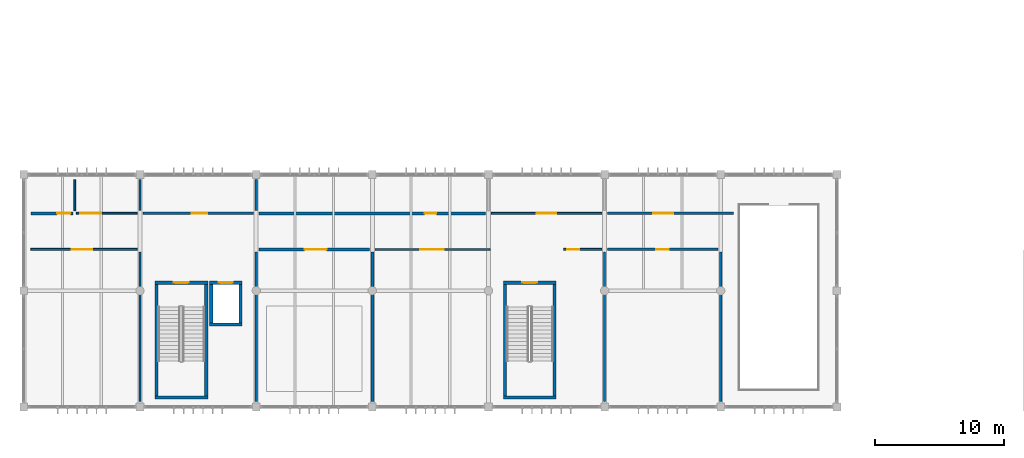
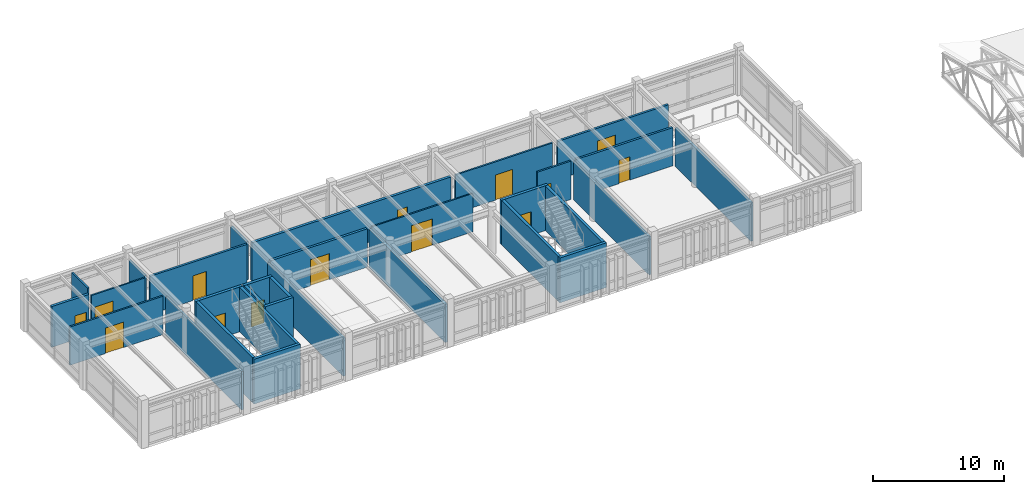
# One storey, part 41 of 55: 31 walls, 14 doors, 14 openings.
"""IFC4 building model written with IfcOpenShell, lengths in metres."""

import ifcopenshell
import ifcopenshell.guid

model = None  # the IFC model being written
_history = None  # IfcOwnerHistory: only IFC2X3 demands one
_inside = {}  # id of a spatial element -> (the spatial element, [elements in it])
_under = {}  # id of a project, library or spatial element -> (it, [spatial elements below it])
_declared = {}  # id of a project -> (the project, [libraries it declares])
_typed = {}  # id of a type object -> (the type object, [elements of that type])
_made_of = {}  # id of a material, layer set ... -> (it, [elements and type objects made of it])


def new_model(schema):
    """Start an empty IFC model of exactly this schema.

    Asked for "IFC4X3", IfcOpenShell would pick the latest addendum, in which some entities
    have other attributes; the version numbers below select the first issue.
    IFC2X3 requires an IfcOwnerHistory on every rooted entity: one is made here for all.
    """
    global model, _history
    if schema == "IFC4X3":
        model = ifcopenshell.file(schema_version=(4, 3, 0, 0))
    else:
        model = ifcopenshell.file(schema=schema)
    _inside.clear()
    _under.clear()
    _declared.clear()
    _typed.clear()
    _made_of.clear()
    _history = None
    if model.schema == "IFC2X3":
        org = make("IfcOrganization", Name="unknown")
        user = make(
            "IfcPersonAndOrganization",
            ThePerson=make("IfcPerson", FamilyName="unknown"),
            TheOrganization=org,
        )
        app = make(
            "IfcApplication",
            ApplicationDeveloper=org,
            Version="unknown",
            ApplicationFullName="unknown",
            ApplicationIdentifier="unknown",
        )
        _history = make(
            "IfcOwnerHistory",
            OwningUser=user,
            OwningApplication=app,
            ChangeAction="ADDED",
            CreationDate=0,
        )
    return model


def make(cls, **values):
    """One entity of the class cls with the attributes given. An attribute that is None is left unset."""
    return model.create_entity(
        cls, **{name: value for name, value in values.items() if value is not None}
    )


def rooted(cls, **values):
    """An entity with a GlobalId (a new one), such as an element, a storey or a relation."""
    return make(cls, GlobalId=ifcopenshell.guid.new(), OwnerHistory=_history, **values)


def si_unit(unit_type, name, prefix=None):
    """IfcSIUnit, for example si_unit("LENGTHUNIT", "METRE", prefix="MILLI")."""
    return make("IfcSIUnit", UnitType=unit_type, Prefix=prefix, Name=name)


def assignment(units):
    """IfcUnitAssignment: the units of a project."""
    return None if units is None else make("IfcUnitAssignment", Units=units)


def point(xyz):
    """IfcCartesianPoint."""
    return None if xyz is None else make("IfcCartesianPoint", Coordinates=xyz)


def direction(xyz):
    """IfcDirection."""
    return None if xyz is None else make("IfcDirection", DirectionRatios=xyz)


def frame(location, z_axis=None, x_axis=None):
    """IfcAxis2Placement3D, a coordinate frame: its origin and axes. An axis left out is left unset."""
    return make(
        "IfcAxis2Placement3D",
        Location=point(location),
        Axis=direction(z_axis),
        RefDirection=direction(x_axis),
    )


def frame_2d(location, x_axis=None):
    """IfcAxis2Placement2D, a coordinate frame in the plane: its origin and x axis."""
    return make(
        "IfcAxis2Placement2D", Location=point(location), RefDirection=direction(x_axis)
    )


def origin():
    """The frame at (0, 0, 0) with its axes left unset."""
    return frame((0.0, 0.0, 0.0))


def place(relative_to, where):
    """IfcLocalPlacement: puts the frame where relative to a parent placement (None: the world)."""
    return make(
        "IfcLocalPlacement", PlacementRelTo=relative_to, RelativePlacement=where
    )


def context(
    kind, dimensions, precision=None, world=None, true_north=None, identifier=None
):
    """IfcGeometricRepresentationContext, for example the 3D "Model" context."""
    return make(
        "IfcGeometricRepresentationContext",
        ContextIdentifier=identifier,
        ContextType=kind,
        CoordinateSpaceDimension=dimensions,
        Precision=precision,
        WorldCoordinateSystem=world,
        TrueNorth=true_north,
    )


def subcontext(parent, identifier, kind, view, scale=None):
    """IfcGeometricRepresentationSubContext, for example "Body" below "Model"."""
    return make(
        "IfcGeometricRepresentationSubContext",
        ContextIdentifier=identifier,
        ContextType=kind,
        ParentContext=parent,
        TargetScale=scale,
        TargetView=view,
    )


def project(units=None, contexts=None):
    """IfcProject with its units and contexts."""
    return rooted(
        "IfcProject",
        Name="project",
        RepresentationContexts=contexts,
        UnitsInContext=assignment(units),
    )


def spatial(cls, under=None, at=None, **own):
    """A site, building, storey or space (cls), placed at a placement, below another one or the project."""
    s = rooted(cls, ObjectPlacement=at, **own)
    if under is not None:
        _under.setdefault(under.id(), (under, []))[1].append(s)
    return s


def profile(cls, at=None, kind="AREA", **sizes):
    """A parametric profile (cls). Its sizes go by their IFC names, for example OverallWidth=200.0."""
    return make(cls, ProfileType=kind, Position=at, **sizes)


def rectangle(**sizes):
    """IfcRectangleProfileDef."""
    return profile("IfcRectangleProfileDef", **sizes)


def extrude(swept, where, along, depth):
    """IfcExtrudedAreaSolid: the profile swept, set in the frame where, extruded along a direction by depth."""
    return make(
        "IfcExtrudedAreaSolid",
        SweptArea=swept,
        Position=where,
        ExtrudedDirection=direction(along),
        Depth=depth,
    )


def shape(context_of_items, identifier, shape_type, items):
    """IfcShapeRepresentation: the items that make up one representation, for example the "Body"."""
    return make(
        "IfcShapeRepresentation",
        ContextOfItems=context_of_items,
        RepresentationIdentifier=identifier,
        RepresentationType=shape_type,
        Items=items,
    )


def material(Name=None, Category=None):
    """IfcMaterial."""
    return make("IfcMaterial", Name=Name, Category=Category)


def layer(
    of_material, thickness, ventilated=None, Name=None, Category=None, Priority=None
):
    """IfcMaterialLayer: one layer of a wall or slab, of a material (None: an air gap)."""
    return make(
        "IfcMaterialLayer",
        Material=of_material,
        LayerThickness=thickness,
        IsVentilated=ventilated,
        Name=Name,
        Category=Category,
        Priority=Priority,
    )


def layer_set(layers, Name=None):
    """IfcMaterialLayerSet."""
    return make("IfcMaterialLayerSet", MaterialLayers=layers, LayerSetName=Name)


def made_of(thing, what):
    """Note that an element or type object is made of a material, layer set ...; save() writes the relation."""
    if what is not None:
        _made_of.setdefault(what.id(), (what, []))[1].append(thing)
    return thing


def type_object(cls, material=None, **own):
    """A type object (cls), such as IfcWallType, which elements share."""
    return made_of(rooted(cls, **own), material)


def element(
    cls,
    number,
    at=None,
    inside=None,
    cuts=None,
    type_object=None,
    material=None,
    context=None,
    identifier="Body",
    shape_type=None,
    held_by="IfcProductDefinitionShape",
    body=None,
    shapes=None,
    **own,
):
    """One element of the class cls, such as IfcWall. Its Tag is "e" and its number.

    at: its placement. inside: the storey or other place that contains it. cuts: it is an
    opening in that element (IfcRelVoidsElement). A single representation is given by context,
    identifier, shape_type and body (its items); several are given by shapes. held_by: the class
    of the entity that holds the representations. save() writes the other relations.
    """
    e = rooted(cls, Tag="e%d" % number, ObjectPlacement=at, **own)
    if body is not None:
        shapes = [shape(context, identifier, shape_type, body)]
    if shapes is not None:
        e.Representation = make(held_by, Representations=shapes)
    if inside is not None:
        _inside.setdefault(inside.id(), (inside, []))[1].append(e)
    if cuts is not None:
        rooted(
            "IfcRelVoidsElement", RelatingBuildingElement=cuts, RelatedOpeningElement=e
        )
    if type_object is not None:
        _typed.setdefault(type_object.id(), (type_object, []))[1].append(e)
    return made_of(e, material)


def fill(opening, filler):
    """IfcRelFillsElement: the door or window that sits in an opening."""
    return rooted(
        "IfcRelFillsElement",
        RelatingOpeningElement=opening,
        RelatedBuildingElement=filler,
    )


def aggregate(whole, parts):
    """IfcRelAggregates: a whole, such as a stair, and the parts it consists of."""
    return rooted("IfcRelAggregates", RelatingObject=whole, RelatedObjects=parts)


def save(model, path):
    """Write the relations noted so far, then the file.

    IfcRelAggregates (storeys below a building ...), IfcRelContainedInSpatialStructure (elements
    in a storey), IfcRelDefinesByType, IfcRelAssociatesMaterial and IfcRelDeclares: one each for
    every whole, place, type object, material and project.
    """
    for whole, parts in _under.values():
        aggregate(whole, parts)
    for where, things in _inside.values():
        rooted(
            "IfcRelContainedInSpatialStructure",
            RelatedElements=things,
            RelatingStructure=where,
        )
    for kind, things in _typed.values():
        rooted("IfcRelDefinesByType", RelatedObjects=things, RelatingType=kind)
    for what, things in _made_of.values():
        rooted("IfcRelAssociatesMaterial", RelatedObjects=things, RelatingMaterial=what)
    for by, libraries in _declared.values():
        rooted("IfcRelDeclares", RelatingContext=by, RelatedDefinitions=libraries)
    model.write(path)


model = new_model("IFC4")

# Units and contexts
model_context = context("Model", 3, precision=1e-05, world=origin(), true_north=direction((0.0, 1.0)))
body_context = subcontext(model_context, "Body", "Model", "MODEL_VIEW")
ifc_project = project(units=[si_unit("LENGTHUNIT", "METRE"), si_unit("AREAUNIT", "SQUARE_METRE"), si_unit("VOLUMEUNIT", "CUBIC_METRE"), si_unit("PLANEANGLEUNIT", "RADIAN"), si_unit("MASSUNIT", "GRAM", prefix="KILO")], contexts=[model_context])

# Site, building, storey
site_placement = place(None, origin())
site = spatial("IfcSite", under=ifc_project, at=site_placement, CompositionType="ELEMENT")
building_placement = place(site_placement, origin())
building = spatial("IfcBuilding", under=site, at=building_placement, Name="Bozkorgan Art Gallery", CompositionType="ELEMENT")
storey_placement = place(building_placement, frame((0.0, 0.0, 15.0)))
storey = spatial("IfcBuildingStorey", under=building, at=storey_placement, Name="L03", CompositionType="ELEMENT", Elevation=15.0)

# Wall, opening, door
ifc_material_1 = material(Name="Concrete C40/50", Category="concrete")
ifc_layer_1 = layer(ifc_material_1, 0.25, Name="Concrete C40/50")
ifc_layer_set_1 = layer_set([ifc_layer_1], Name="Concrete C40/50")
wall_type_1 = type_object("IfcWallType", Name="IWALL-CW-51", PredefinedType="SHEAR", material=ifc_layer_set_1)
wall_1_placement = place(storey_placement, frame((12.14990234375, 11.625, 0.0), z_axis=(0.0, 0.0, 1.0), x_axis=(1.0, 0.0, 0.0)))
wall_1 = element("IfcWall", 1, at=wall_1_placement, inside=storey, type_object=wall_type_1, Name="CORE1 L03 stair core north shear wall", PredefinedType="SHEAR", context=body_context, shape_type="SweptSolid", body=[
    extrude(rectangle(XDim=4.10009765625, YDim=0.25, at=frame_2d((2.050048828125, 0.0))), origin(), (0.0, 0.0, 1.0), 4.179931640625),
])
opening_1_placement = place(wall_1_placement, frame((2.625, 0.0, 0.0), z_axis=(0.0, 0.0, 1.0), x_axis=(-1.0, 0.0, 0.0)))
opening_1 = element("IfcOpeningElement", 2, at=opening_1_placement, cuts=wall_1, Name="Opening SD-41", PredefinedType="OPENING", context=body_context, shape_type="SweptSolid", body=[
    extrude(rectangle(XDim=1.14990234375, YDim=2.199951171875, at=frame_2d((0.574951171875, 1.10009765625))), frame((0.0, 0.135009765625, 0.0), z_axis=(0.0, -1.0, 0.0), x_axis=(1.0, 0.0, 0.0)), (0.0, 0.0, 1.0), 0.27001953125),
])
ifc_material_2 = material(Name="Steel S355J2", Category="steel")
door_type_1 = type_object("IfcDoorType", Name="IDOOR-SD-41", OperationType="NOTDEFINED", PredefinedType="DOOR", material=ifc_material_2)
door_1_placement = place(opening_1_placement, origin())
door_1 = element("IfcDoor", 3, at=door_1_placement, inside=storey, type_object=door_type_1, Name="ST1 L03 Fire Stair Door", OperationType="SINGLE_SWING_RIGHT", OverallHeight=2.199951171875, OverallWidth=1.14990234375, PredefinedType="DOOR", context=body_context, shape_type="SweptSolid", body=[
    extrude(rectangle(XDim=1.14990234375, YDim=2.199951171875, at=frame_2d((0.574951171875, 1.10009765625))), frame((0.0, 0.02490234375, 0.0), z_axis=(0.0, -1.0, 0.0), x_axis=(1.0, 0.0, 0.0)), (0.0, 0.0, 1.0), 0.050048828125),
])
fill(opening_1, door_1)

# Walls
wall_2_placement = place(storey_placement, frame((12.14990234375, 2.72509765625, 0.0), z_axis=(0.0, 0.0, 1.0), x_axis=(1.0, 0.0, 0.0)))
element("IfcWall", 4, at=wall_2_placement, inside=storey, type_object=wall_type_1, Name="CORE1 L03 stair core S shear wall", PredefinedType="SHEAR", context=body_context, shape_type="SweptSolid", body=[
    extrude(rectangle(XDim=4.10009765625, YDim=0.25, at=frame_2d((2.050048828125, 0.0))), origin(), (0.0, 0.0, 1.0), 4.179931640625),
])
for number, where, z_axis, x_axis, name in (
    (5, (12.27490234375, 2.85009765625, 0.0), (0.0, 0.0, 1.0), (0.0, 1.0, 0.0), "CORE1 L03 stair core W shear wall"),
    (6, (16.125, 2.85009765625, 0.0), (0.0, 0.0, 1.0), (0.0, 1.0, 0.0), "CORE1 L03 stair core E shear wall"),
):
    element("IfcWall", number, at=place(storey_placement, frame(where, z_axis=z_axis, x_axis=x_axis)), inside=storey, type_object=wall_type_1, Name=name, PredefinedType="SHEAR", context=body_context, shape_type="SweptSolid", body=[
        extrude(rectangle(XDim=8.64990234375, YDim=0.25, at=frame_2d((4.324951171875, 0.0))), origin(), (0.0, 0.0, 1.0), 4.179931640625),
    ])

# Wall, opening, door
wall_3_placement = place(storey_placement, frame((16.39990234375, 11.625, 0.0), z_axis=(0.0, 0.0, 1.0), x_axis=(1.0, 0.0, 0.0)))
wall_3 = element("IfcWall", 7, at=wall_3_placement, inside=storey, type_object=wall_type_1, Name="PL1 L03 shaft front shear wall", PredefinedType="SHEAR", context=body_context, shape_type="SweptSolid", body=[
    extrude(rectangle(XDim=2.5, YDim=0.25, at=frame_2d((1.25, 0.0))), origin(), (0.0, 0.0, 1.0), 4.179931640625),
])
opening_2_placement = place(wall_3_placement, frame((0.699951171875, 0.0, 0.0)))
opening_2 = element("IfcOpeningElement", 8, at=opening_2_placement, cuts=wall_3, Name="Opening LD-25", PredefinedType="OPENING", context=body_context, shape_type="SweptSolid", body=[
    extrude(rectangle(XDim=1.10009765625, YDim=2.199951171875, at=frame_2d((0.550048828125, 1.10009765625))), frame((0.0, 0.135009765625, 0.0), z_axis=(0.0, -1.0, 0.0), x_axis=(1.0, 0.0, 0.0)), (0.0, 0.0, 1.0), 0.27001953125),
])
door_type_2 = type_object("IfcDoorType", Name="IDOOR-LD-25", OperationType="NOTDEFINED", PredefinedType="DOOR", material=ifc_material_2)
door_2_placement = place(opening_2_placement, origin())
door_2 = element("IfcDoor", 9, at=door_2_placement, inside=storey, type_object=door_type_2, Name="LD-PL1-L03 Lift Landing Door", OperationType="SLIDING_TO_LEFT", OverallHeight=2.199951171875, OverallWidth=1.10009765625, PredefinedType="DOOR", context=body_context, shape_type="SweptSolid", body=[
    extrude(rectangle(XDim=1.10009765625, YDim=2.199951171875, at=frame_2d((0.550048828125, 1.10009765625))), frame((0.0, 0.02490234375, 0.0), z_axis=(0.0, -1.0, 0.0), x_axis=(1.0, 0.0, 0.0)), (0.0, 0.0, 1.0), 0.050048828125),
])
fill(opening_2, door_2)

# Walls
wall_4_placement = place(storey_placement, frame((16.39990234375, 8.375, 0.0), z_axis=(0.0, 0.0, 1.0), x_axis=(1.0, 0.0, 0.0)))
element("IfcWall", 10, at=wall_4_placement, inside=storey, type_object=wall_type_1, Name="PL1 L03 shaft S shear wall", PredefinedType="SHEAR", context=body_context, shape_type="SweptSolid", body=[
    extrude(rectangle(XDim=2.5, YDim=0.25, at=frame_2d((1.25, 0.0))), origin(), (0.0, 0.0, 1.0), 4.179931640625),
])
for number, where, z_axis, x_axis, name in (
    (11, (18.77490234375, 8.5, 0.0), (0.0, 0.0, 1.0), (0.0, 1.0, 0.0), "PL1 L03 shaft E shear wall"),
    (12, (16.52490234375, 8.5, 0.0), (0.0, 0.0, 1.0), (0.0, 1.0, 0.0), "PL1 L03 shaft W shear wall"),
):
    element("IfcWall", number, at=place(storey_placement, frame(where, z_axis=z_axis, x_axis=x_axis)), inside=storey, type_object=wall_type_1, Name=name, PredefinedType="SHEAR", context=body_context, shape_type="SweptSolid", body=[
        extrude(rectangle(XDim=3.0, YDim=0.25, at=frame_2d((1.5, 0.0))), origin(), (0.0, 0.0, 1.0), 4.179931640625),
    ])

# Wall, opening, door
wall_5_placement = place(storey_placement, frame((39.14990234375, 11.625, 0.0), z_axis=(0.0, 0.0, 1.0), x_axis=(1.0, 0.0, 0.0)))
wall_5 = element("IfcWall", 13, at=wall_5_placement, inside=storey, type_object=wall_type_1, Name="CORE7 L03 stair core north shear wall", PredefinedType="SHEAR", context=body_context, shape_type="SweptSolid", body=[
    extrude(rectangle(XDim=4.10009765625, YDim=0.25, at=frame_2d((2.050048828125, 0.0))), origin(), (0.0, 0.0, 1.0), 4.179931640625),
])
opening_3_placement = place(wall_5_placement, frame((2.625, 0.0, 0.0), z_axis=(0.0, 0.0, 1.0), x_axis=(-1.0, 0.0, 0.0)))
opening_3 = element("IfcOpeningElement", 14, at=opening_3_placement, cuts=wall_5, Name="Opening SD-41", PredefinedType="OPENING", context=body_context, shape_type="SweptSolid", body=[
    extrude(rectangle(XDim=1.14990234375, YDim=2.199951171875, at=frame_2d((0.574951171875, 1.10009765625))), frame((0.0, 0.135009765625, 0.0), z_axis=(0.0, -1.0, 0.0), x_axis=(1.0, 0.0, 0.0)), (0.0, 0.0, 1.0), 0.27001953125),
])
door_3_placement = place(opening_3_placement, origin())
door_3 = element("IfcDoor", 15, at=door_3_placement, inside=storey, type_object=door_type_1, Name="ST12 L03 Fire Stair Door", OperationType="SINGLE_SWING_RIGHT", OverallHeight=2.199951171875, OverallWidth=1.14990234375, PredefinedType="DOOR", context=body_context, shape_type="SweptSolid", body=[
    extrude(rectangle(XDim=1.14990234375, YDim=2.199951171875, at=frame_2d((0.574951171875, 1.10009765625))), frame((0.0, 0.02490234375, 0.0), z_axis=(0.0, -1.0, 0.0), x_axis=(1.0, 0.0, 0.0)), (0.0, 0.0, 1.0), 0.050048828125),
])
fill(opening_3, door_3)

# Walls
wall_6_placement = place(storey_placement, frame((39.14990234375, 2.72509765625, 0.0), z_axis=(0.0, 0.0, 1.0), x_axis=(1.0, 0.0, 0.0)))
element("IfcWall", 16, at=wall_6_placement, inside=storey, type_object=wall_type_1, Name="CORE7 L03 stair core S shear wall", PredefinedType="SHEAR", context=body_context, shape_type="SweptSolid", body=[
    extrude(rectangle(XDim=4.10009765625, YDim=0.25, at=frame_2d((2.050048828125, 0.0))), origin(), (0.0, 0.0, 1.0), 4.179931640625),
])
for number, where, z_axis, x_axis, name in (
    (17, (39.27490234375, 2.85009765625, 0.0), (0.0, 0.0, 1.0), (0.0, 1.0, 0.0), "CORE7 L03 stair core W shear wall"),
    (18, (43.125, 2.85009765625, 0.0), (0.0, 0.0, 1.0), (0.0, 1.0, 0.0), "CORE7 L03 stair core E shear wall"),
):
    element("IfcWall", number, at=place(storey_placement, frame(where, z_axis=z_axis, x_axis=x_axis)), inside=storey, type_object=wall_type_1, Name=name, PredefinedType="SHEAR", context=body_context, shape_type="SweptSolid", body=[
        extrude(rectangle(XDim=8.64990234375, YDim=0.25, at=frame_2d((4.324951171875, 0.0))), origin(), (0.0, 0.0, 1.0), 4.179931640625),
    ])

# Wall, opening, door
ifc_material_3 = material(Name="Acoustic Gypsum & Mineral Wool Partition")
ifc_layer_2 = layer(ifc_material_3, 0.22998046875, Name="Acoustic Gypsum & Mineral Wool Partition")
ifc_layer_set_2 = layer_set([ifc_layer_2], Name="Acoustic Gypsum & Mineral Wool Partition")
wall_type_2 = type_object("IfcWallType", Name="IWALL-PR-08", PredefinedType="PARTITIONING", material=ifc_layer_set_2)
wall_7_placement = place(storey_placement, frame((2.5400390625, 17.0, 0.0), z_axis=(0.0, 0.0, 1.0), x_axis=(1.0, 0.0, 0.0)))
wall_7 = element("IfcWall", 19, at=wall_7_placement, inside=storey, type_object=wall_type_2, Name="V1 L03 acoustic partition wall 83", PredefinedType="PARTITIONING", context=body_context, shape_type="SweptSolid", body=[
    extrude(rectangle(XDim=3.280029296875, YDim=0.22998046875, at=frame_2d((1.64013671875, 0.0))), origin(), (0.0, 0.0, 1.0), 3.804931640625),
])
opening_4_placement = place(wall_7_placement, frame((3.070068359375, 0.0, 0.0), z_axis=(0.0, 0.0, 1.0), x_axis=(-1.0, 0.0, 0.0)))
opening_4 = element("IfcOpeningElement", 20, at=opening_4_placement, cuts=wall_7, Name="Opening FD-96", PredefinedType="OPENING", context=body_context, shape_type="SweptSolid", body=[
    extrude(rectangle(XDim=1.0400390625, YDim=2.219970703125, at=frame_2d((0.52001953125, 1.10986328125))), frame((0.0, 0.125, 0.0), z_axis=(0.0, -1.0, 0.0), x_axis=(1.0, 0.0, 0.0)), (0.0, 0.0, 1.0), 0.25),
])
ifc_material_4 = material(Name="Oiled European Oak Joinery")
door_type_3 = type_object("IfcDoorType", Name="IDOOR-FD-96", OperationType="NOTDEFINED", PredefinedType="DOOR", material=ifc_material_4)
door_4_placement = place(opening_4_placement, origin())
door_4 = element("IfcDoor", 21, at=door_4_placement, inside=storey, type_object=door_type_3, Name="Accessible WC Door", OperationType="SINGLE_SWING_RIGHT", OverallHeight=2.219970703125, OverallWidth=1.0400390625, PredefinedType="DOOR", context=body_context, shape_type="SweptSolid", body=[
    extrude(rectangle(XDim=1.0400390625, YDim=2.219970703125, at=frame_2d((0.52001953125, 1.10986328125))), frame((0.0, 0.02490234375, 0.0), z_axis=(0.0, -1.0, 0.0), x_axis=(1.0, 0.0, 0.0)), (0.0, 0.0, 1.0), 0.050048828125),
])
fill(opening_4, door_4)

wall_8_placement = place(storey_placement, frame((20.219970703125, 17.0, 0.0), z_axis=(0.0, 0.0, 1.0), x_axis=(1.0, 0.0, 0.0)))
wall_8 = element("IfcWall", 22, at=wall_8_placement, inside=storey, type_object=wall_type_2, Name="V1 L03 acoustic partition wall 89", PredefinedType="PARTITIONING", context=body_context, shape_type="SweptSolid", body=[
    extrude(rectangle(XDim=17.56005859375, YDim=0.22998046875, at=frame_2d((8.780029296875, 0.0))), origin(), (0.0, 0.0, 1.0), 3.574951171875),
])
opening_5_placement = place(wall_8_placement, frame((13.74560546875, 0.0, 0.0), z_axis=(0.0, 0.0, 1.0), x_axis=(-1.0, 0.0, 0.0)))
opening_5 = element("IfcOpeningElement", 23, at=opening_5_placement, cuts=wall_8, Name="Opening FD-12", PredefinedType="OPENING", context=body_context, shape_type="SweptSolid", body=[
    extrude(rectangle(XDim=0.919921875, YDim=2.1201171875, at=frame_2d((0.4599609375, 1.06005859375))), frame((0.0, 0.125, 0.0), z_axis=(0.0, -1.0, 0.0), x_axis=(1.0, 0.0, 0.0)), (0.0, 0.0, 1.0), 0.25),
])
door_type_4 = type_object("IfcDoorType", Name="IDOOR-FD-12", OperationType="NOTDEFINED", PredefinedType="DOOR", material=ifc_material_4)
door_5_placement = place(opening_5_placement, origin())
door_5 = element("IfcDoor", 24, at=door_5_placement, inside=storey, type_object=door_type_4, Name="Visitor Cloakroom Door", OperationType="SINGLE_SWING_LEFT", OverallHeight=2.1201171875, OverallWidth=0.919921875, PredefinedType="DOOR", context=body_context, shape_type="SweptSolid", body=[
    extrude(rectangle(XDim=0.919921875, YDim=2.1201171875, at=frame_2d((0.4599609375, 1.06005859375))), frame((0.0, 0.02490234375, 0.0), z_axis=(0.0, -1.0, 0.0), x_axis=(1.0, 0.0, 0.0)), (0.0, 0.0, 1.0), 0.050048828125),
])
fill(opening_5, door_5)

ifc_layer_3 = layer(ifc_material_3, 0.2099609375, Name="Acoustic Gypsum & Mineral Wool Partition")
ifc_layer_set_3 = layer_set([ifc_layer_3], Name="Acoustic Gypsum & Mineral Wool Partition")
wall_type_3 = type_object("IfcWallType", Name="IWALL-PR-38", PredefinedType="PARTITIONING", material=ifc_layer_set_3)
wall_9_placement = place(storey_placement, frame((20.219970703125, 14.199951171875, 0.0), z_axis=(0.0, 0.0, 1.0), x_axis=(1.0, 0.0, 0.0)))
wall_9 = element("IfcWall", 25, at=wall_9_placement, inside=storey, type_object=wall_type_3, Name="V1 L03 acoustic partition wall 76", PredefinedType="PARTITIONING", context=body_context, shape_type="SweptSolid", body=[
    extrude(rectangle(XDim=8.56005859375, YDim=0.2099609375, at=frame_2d((4.280029296875, 0.0))), origin(), (0.0, 0.0, 1.0), 3.574951171875),
])
opening_6_placement = place(wall_9_placement, frame((3.530029296875, 0.0, 0.0)))
opening_6 = element("IfcOpeningElement", 26, at=opening_6_placement, cuts=wall_9, Name="Opening GD-55", PredefinedType="OPENING", context=body_context, shape_type="SweptSolid", body=[
    extrude(rectangle(XDim=1.699951171875, YDim=2.43994140625, at=frame_2d((0.85009765625, 1.219970703125))), frame((0.0, 0.114990234375, 0.0), z_axis=(0.0, -1.0, 0.0), x_axis=(1.0, 0.0, 0.0)), (0.0, 0.0, 1.0), 0.22998046875),
])
door_type_5 = type_object("IfcDoorType", Name="IDOOR-GD-55", OperationType="NOTDEFINED", PredefinedType="DOOR", material=ifc_material_4)
door_6_placement = place(opening_6_placement, origin())
door_6 = element("IfcDoor", 27, at=door_6_placement, inside=storey, type_object=door_type_5, Name="Photography Exhibition Gallery Door", OperationType="DOUBLE_DOOR_SINGLE_SWING", OverallHeight=2.43994140625, OverallWidth=1.699951171875, PredefinedType="DOOR", context=body_context, shape_type="SweptSolid", body=[
    extrude(rectangle(XDim=1.699951171875, YDim=2.43994140625, at=frame_2d((0.85009765625, 1.219970703125))), frame((0.0, 0.02490234375, 0.0), z_axis=(0.0, -1.0, 0.0), x_axis=(1.0, 0.0, 0.0)), (0.0, 0.0, 1.0), 0.050048828125),
])
fill(opening_6, door_6)

ifc_layer_4 = layer(ifc_material_3, 0.14990234375, Name="Acoustic Gypsum & Mineral Wool Partition")
ifc_layer_set_4 = layer_set([ifc_layer_4], Name="Acoustic Gypsum & Mineral Wool Partition")
wall_type_4 = type_object("IfcWallType", Name="IWALL-PR-55", PredefinedType="PARTITIONING", material=ifc_layer_set_4)
wall_10_placement = place(storey_placement, frame((2.5400390625, 14.199951171875, 0.0), z_axis=(0.0, 0.0, 1.0), x_axis=(1.0, 0.0, 0.0)))
wall_10 = element("IfcWall", 28, at=wall_10_placement, inside=storey, type_object=wall_type_4, Name="V1 L03 acoustic partition wall 73", PredefinedType="PARTITIONING", context=body_context, shape_type="SweptSolid", body=[
    extrude(rectangle(XDim=8.239990234375, YDim=0.14990234375, at=frame_2d((4.1201171875, 0.0))), origin(), (0.0, 0.0, 1.0), 3.574951171875),
])
opening_7_placement = place(wall_10_placement, frame((3.165283203125, 0.0, 0.0)))
opening_7 = element("IfcOpeningElement", 29, at=opening_7_placement, cuts=wall_10, Name="Opening GD-25", PredefinedType="OPENING", context=body_context, shape_type="SweptSolid", body=[
    extrude(rectangle(XDim=1.580078125, YDim=2.3798828125, at=frame_2d((0.7900390625, 1.18994140625))), frame((0.0, 0.0849609375, 0.0), z_axis=(0.0, -1.0, 0.0), x_axis=(1.0, 0.0, 0.0)), (0.0, 0.0, 1.0), 0.169921875),
])
door_type_6 = type_object("IfcDoorType", Name="IDOOR-GD-25", OperationType="NOTDEFINED", PredefinedType="DOOR", material=ifc_material_4)
door_7_placement = place(opening_7_placement, origin())
door_7 = element("IfcDoor", 30, at=door_7_placement, inside=storey, type_object=door_type_6, Name="Works on Paper Gallery Door", OperationType="DOUBLE_DOOR_SINGLE_SWING", OverallHeight=2.3798828125, OverallWidth=1.580078125, PredefinedType="DOOR", context=body_context, shape_type="SweptSolid", body=[
    extrude(rectangle(XDim=1.580078125, YDim=2.3798828125, at=frame_2d((0.7900390625, 1.18994140625))), frame((0.0, 0.02490234375, 0.0), z_axis=(0.0, -1.0, 0.0), x_axis=(1.0, 0.0, 0.0)), (0.0, 0.0, 1.0), 0.050048828125),
])
fill(opening_7, door_7)

wall_11_placement = place(storey_placement, frame((43.820068359375, 14.199951171875, 0.0), z_axis=(0.0, 0.0, 1.0), x_axis=(1.0, 0.0, 0.0)))
wall_11 = element("IfcWall", 31, at=wall_11_placement, inside=storey, type_object=wall_type_4, Name="V1 L03 acoustic partition wall 79", PredefinedType="PARTITIONING", context=body_context, shape_type="SweptSolid", body=[
    extrude(rectangle(XDim=2.9599609375, YDim=0.14990234375, at=frame_2d((1.47998046875, 0.0))), origin(), (0.0, 0.0, 1.0), 3.574951171875),
])
opening_8_placement = place(wall_11_placement, frame((0.300048828125, 0.0, 0.0)))
opening_8 = element("IfcOpeningElement", 32, at=opening_8_placement, cuts=wall_11, Name="Opening FD-12", PredefinedType="OPENING", context=body_context, shape_type="SweptSolid", body=[
    extrude(rectangle(XDim=0.919921875, YDim=2.1201171875, at=frame_2d((0.4599609375, 1.06005859375))), frame((0.0, 0.0849609375, 0.0), z_axis=(0.0, -1.0, 0.0), x_axis=(1.0, 0.0, 0.0)), (0.0, 0.0, 1.0), 0.169921875),
])
door_8_placement = place(opening_8_placement, origin())
door_8 = element("IfcDoor", 33, at=door_8_placement, inside=storey, type_object=door_type_4, Name="Print Study Room Door", OperationType="SINGLE_SWING_RIGHT", OverallHeight=2.1201171875, OverallWidth=0.919921875, PredefinedType="DOOR", context=body_context, shape_type="SweptSolid", body=[
    extrude(rectangle(XDim=0.919921875, YDim=2.1201171875, at=frame_2d((0.4599609375, 1.06005859375))), frame((0.0, 0.02490234375, 0.0), z_axis=(0.0, -1.0, 0.0), x_axis=(1.0, 0.0, 0.0)), (0.0, 0.0, 1.0), 0.050048828125),
])
fill(opening_8, door_8)

wall_12_placement = place(storey_placement, frame((38.219970703125, 17.0, 0.0), z_axis=(0.0, 0.0, 1.0), x_axis=(1.0, 0.0, 0.0)))
wall_12 = element("IfcWall", 34, at=wall_12_placement, inside=storey, type_object=wall_type_4, Name="V1 L03 acoustic partition wall 91", PredefinedType="PARTITIONING", context=body_context, shape_type="SweptSolid", body=[
    extrude(rectangle(XDim=8.56005859375, YDim=0.14990234375, at=frame_2d((4.280029296875, 0.0))), origin(), (0.0, 0.0, 1.0), 3.574951171875),
])
opening_9_placement = place(wall_12_placement, frame((5.030029296875, 0.0, 0.0), z_axis=(0.0, 0.0, 1.0), x_axis=(-1.0, 0.0, 0.0)))
opening_9 = element("IfcOpeningElement", 35, at=opening_9_placement, cuts=wall_12, Name="Opening GD-06", PredefinedType="OPENING", context=body_context, shape_type="SweptSolid", body=[
    extrude(rectangle(XDim=1.5, YDim=2.35009765625, at=frame_2d((0.75, 1.175048828125))), frame((0.0, 0.0849609375, 0.0), z_axis=(0.0, -1.0, 0.0), x_axis=(1.0, 0.0, 0.0)), (0.0, 0.0, 1.0), 0.169921875),
])
door_type_7 = type_object("IfcDoorType", Name="IDOOR-GD-06", OperationType="NOTDEFINED", PredefinedType="DOOR", material=ifc_material_4)
door_9_placement = place(opening_9_placement, origin())
door_9 = element("IfcDoor", 36, at=door_9_placement, inside=storey, type_object=door_type_7, Name="Works on Paper Gallery Door", OperationType="DOUBLE_DOOR_SINGLE_SWING", OverallHeight=2.35009765625, OverallWidth=1.5, PredefinedType="DOOR", context=body_context, shape_type="SweptSolid", body=[
    extrude(rectangle(XDim=1.5, YDim=2.35009765625, at=frame_2d((0.75, 1.175048828125))), frame((0.0, 0.02490234375, 0.0), z_axis=(0.0, -1.0, 0.0), x_axis=(1.0, 0.0, 0.0)), (0.0, 0.0, 1.0), 0.050048828125),
])
fill(opening_9, door_9)

ifc_layer_5 = layer(ifc_material_3, 0.18994140625, Name="Acoustic Gypsum & Mineral Wool Partition")
ifc_layer_set_5 = layer_set([ifc_layer_5], Name="Acoustic Gypsum & Mineral Wool Partition")
wall_type_5 = type_object("IfcWallType", Name="IWALL-PR-66", PredefinedType="PARTITIONING", material=ifc_layer_set_5)
wall_13_placement = place(storey_placement, frame((47.219970703125, 14.199951171875, 0.0), z_axis=(0.0, 0.0, 1.0), x_axis=(1.0, 0.0, 0.0)))
wall_13 = element("IfcWall", 37, at=wall_13_placement, inside=storey, type_object=wall_type_5, Name="V1 L03 acoustic partition wall 81", PredefinedType="PARTITIONING", context=body_context, shape_type="SweptSolid", body=[
    extrude(rectangle(XDim=8.56005859375, YDim=0.18994140625, at=frame_2d((4.280029296875, 0.0))), origin(), (0.0, 0.0, 1.0), 3.574951171875),
])
opening_10_placement = place(wall_13_placement, frame((3.780029296875, 0.0, 0.0)))
opening_10 = element("IfcOpeningElement", 38, at=opening_10_placement, cuts=wall_13, Name="Opening FD-75", PredefinedType="OPENING", context=body_context, shape_type="SweptSolid", body=[
    extrude(rectangle(XDim=0.97998046875, YDim=2.179931640625, at=frame_2d((0.489990234375, 1.08984375))), frame((0.0, 0.10498046875, 0.0), z_axis=(0.0, -1.0, 0.0), x_axis=(1.0, 0.0, 0.0)), (0.0, 0.0, 1.0), 0.2099609375),
])
door_type_8 = type_object("IfcDoorType", Name="IDOOR-FD-75", OperationType="NOTDEFINED", PredefinedType="DOOR", material=ifc_material_4)
door_10_placement = place(opening_10_placement, origin())
door_10 = element("IfcDoor", 39, at=door_10_placement, inside=storey, type_object=door_type_8, Name="Rare Folio Cabinet Door", OperationType="SINGLE_SWING_LEFT", OverallHeight=2.179931640625, OverallWidth=0.97998046875, PredefinedType="DOOR", context=body_context, shape_type="SweptSolid", body=[
    extrude(rectangle(XDim=0.97998046875, YDim=2.179931640625, at=frame_2d((0.489990234375, 1.08984375))), frame((0.0, 0.02490234375, 0.0), z_axis=(0.0, -1.0, 0.0), x_axis=(1.0, 0.0, 0.0)), (0.0, 0.0, 1.0), 0.050048828125),
])
fill(opening_10, door_10)

wall_14_placement = place(storey_placement, frame((11.219970703125, 17.0, 0.0), z_axis=(0.0, 0.0, 1.0), x_axis=(1.0, 0.0, 0.0)))
wall_14 = element("IfcWall", 40, at=wall_14_placement, inside=storey, type_object=wall_type_5, Name="V1 L03 acoustic partition wall 87", PredefinedType="PARTITIONING", context=body_context, shape_type="SweptSolid", body=[
    extrude(rectangle(XDim=8.56005859375, YDim=0.18994140625, at=frame_2d((4.280029296875, 0.0))), origin(), (0.0, 0.0, 1.0), 3.574951171875),
])
opening_11_placement = place(wall_14_placement, frame((4.97998046875, 0.0, 0.0), z_axis=(0.0, 0.0, 1.0), x_axis=(-1.0, 0.0, 0.0)))
opening_11 = element("IfcOpeningElement", 41, at=opening_11_placement, cuts=wall_14, Name="Opening FD-05", PredefinedType="OPENING", context=body_context, shape_type="SweptSolid", body=[
    extrude(rectangle(XDim=1.199951171875, YDim=2.300048828125, at=frame_2d((0.60009765625, 1.14990234375))), frame((0.0, 0.10498046875, 0.0), z_axis=(0.0, -1.0, 0.0), x_axis=(1.0, 0.0, 0.0)), (0.0, 0.0, 1.0), 0.2099609375),
])
door_type_9 = type_object("IfcDoorType", Name="IDOOR-FD-05", OperationType="NOTDEFINED", PredefinedType="DOOR", material=ifc_material_4)
door_11_placement = place(opening_11_placement, origin())
door_11 = element("IfcDoor", 42, at=door_11_placement, inside=storey, type_object=door_type_9, Name="Exhibition Catalogue Salon Door", OperationType="SINGLE_SWING_RIGHT", OverallHeight=2.300048828125, OverallWidth=1.199951171875, PredefinedType="DOOR", context=body_context, shape_type="SweptSolid", body=[
    extrude(rectangle(XDim=1.199951171875, YDim=2.300048828125, at=frame_2d((0.60009765625, 1.14990234375))), frame((0.0, 0.02490234375, 0.0), z_axis=(0.0, -1.0, 0.0), x_axis=(1.0, 0.0, 0.0)), (0.0, 0.0, 1.0), 0.050048828125),
])
fill(opening_11, door_11)

wall_15_placement = place(storey_placement, frame((47.219970703125, 17.0, 0.0), z_axis=(0.0, 0.0, 1.0), x_axis=(1.0, 0.0, 0.0)))
wall_15 = element("IfcWall", 43, at=wall_15_placement, inside=storey, type_object=wall_type_5, Name="V1 L03 acoustic partition wall 93", PredefinedType="PARTITIONING", context=body_context, shape_type="SweptSolid", body=[
    extrude(rectangle(XDim=9.780029296875, YDim=0.18994140625, at=frame_2d((4.89013671875, 0.0))), origin(), (0.0, 0.0, 1.0), 3.574951171875),
])
opening_12_placement = place(wall_15_placement, frame((5.11376953125, 0.0, 0.0), z_axis=(0.0, 0.0, 1.0), x_axis=(-1.0, 0.0, 0.0)))
opening_12 = element("IfcOpeningElement", 44, at=opening_12_placement, cuts=wall_15, Name="Opening GD-25", PredefinedType="OPENING", context=body_context, shape_type="SweptSolid", body=[
    extrude(rectangle(XDim=1.580078125, YDim=2.3798828125, at=frame_2d((0.7900390625, 1.18994140625))), frame((0.0, 0.10498046875, 0.0), z_axis=(0.0, -1.0, 0.0), x_axis=(1.0, 0.0, 0.0)), (0.0, 0.0, 1.0), 0.2099609375),
])
door_12_placement = place(opening_12_placement, origin())
door_12 = element("IfcDoor", 45, at=door_12_placement, inside=storey, type_object=door_type_6, Name="Photography Exhibition Gallery Door", OperationType="DOUBLE_DOOR_SINGLE_SWING", OverallHeight=2.3798828125, OverallWidth=1.580078125, PredefinedType="DOOR", context=body_context, shape_type="SweptSolid", body=[
    extrude(rectangle(XDim=1.580078125, YDim=2.3798828125, at=frame_2d((0.7900390625, 1.18994140625))), frame((0.0, 0.02490234375, 0.0), z_axis=(0.0, -1.0, 0.0), x_axis=(1.0, 0.0, 0.0)), (0.0, 0.0, 1.0), 0.050048828125),
])
fill(opening_12, door_12)

ifc_layer_6 = layer(ifc_material_3, 0.1298828125, Name="Acoustic Gypsum & Mineral Wool Partition")
ifc_layer_set_6 = layer_set([ifc_layer_6], Name="Acoustic Gypsum & Mineral Wool Partition")
wall_type_6 = type_object("IfcWallType", Name="IWALL-PR-76", PredefinedType="PARTITIONING", material=ifc_layer_set_6)
wall_16_placement = place(storey_placement, frame((29.219970703125, 14.199951171875, 0.0), z_axis=(0.0, 0.0, 1.0), x_axis=(1.0, 0.0, 0.0)))
wall_16 = element("IfcWall", 46, at=wall_16_placement, inside=storey, type_object=wall_type_6, Name="V1 L03 acoustic partition wall 78", PredefinedType="PARTITIONING", context=body_context, shape_type="SweptSolid", body=[
    extrude(rectangle(XDim=8.909912109375, YDim=0.1298828125, at=frame_2d((4.455078125, 0.0))), origin(), (0.0, 0.0, 1.0), 3.574951171875),
])
opening_13_placement = place(wall_16_placement, frame((3.504638671875, 0.0, 0.0)))
opening_13 = element("IfcOpeningElement", 47, at=opening_13_placement, cuts=wall_16, Name="Opening GD-31", PredefinedType="OPENING", context=body_context, shape_type="SweptSolid", body=[
    extrude(rectangle(XDim=1.820068359375, YDim=2.4599609375, at=frame_2d((0.91015625, 1.22998046875))), frame((0.0, 0.074951171875, 0.0), z_axis=(0.0, -1.0, 0.0), x_axis=(1.0, 0.0, 0.0)), (0.0, 0.0, 1.0), 0.14990234375),
])
door_type_10 = type_object("IfcDoorType", Name="IDOOR-GD-31", OperationType="NOTDEFINED", PredefinedType="DOOR", material=ifc_material_4)
door_13_placement = place(opening_13_placement, origin())
door_13 = element("IfcDoor", 48, at=door_13_placement, inside=storey, type_object=door_type_10, Name="New Media Video Gallery Door", OperationType="DOUBLE_DOOR_SINGLE_SWING", OverallHeight=2.4599609375, OverallWidth=1.820068359375, PredefinedType="DOOR", context=body_context, shape_type="SweptSolid", body=[
    extrude(rectangle(XDim=1.820068359375, YDim=2.4599609375, at=frame_2d((0.91015625, 1.22998046875))), frame((0.0, 0.02490234375, 0.0), z_axis=(0.0, -1.0, 0.0), x_axis=(1.0, 0.0, 0.0)), (0.0, 0.0, 1.0), 0.050048828125),
])
fill(opening_13, door_13)

wall_17_placement = place(storey_placement, frame((6.06005859375, 17.0, 0.0), z_axis=(0.0, 0.0, 1.0), x_axis=(1.0, 0.0, 0.0)))
wall_17 = element("IfcWall", 49, at=wall_17_placement, inside=storey, type_object=wall_type_6, Name="V1 L03 acoustic partition wall 84", PredefinedType="PARTITIONING", context=body_context, shape_type="SweptSolid", body=[
    extrude(rectangle(XDim=4.719970703125, YDim=0.1298828125, at=frame_2d((2.35986328125, 0.0))), origin(), (0.0, 0.0, 1.0), 3.574951171875),
])
opening_14_placement = place(wall_17_placement, frame((1.920166015625, 0.0, 0.0), z_axis=(0.0, 0.0, 1.0), x_axis=(-1.0, 0.0, 0.0)))
opening_14 = element("IfcOpeningElement", 50, at=opening_14_placement, cuts=wall_17, Name="Opening GD-81", PredefinedType="OPENING", context=body_context, shape_type="SweptSolid", body=[
    extrude(rectangle(XDim=1.6201171875, YDim=2.39990234375, at=frame_2d((0.81005859375, 1.199951171875))), frame((0.0, 0.074951171875, 0.0), z_axis=(0.0, -1.0, 0.0), x_axis=(1.0, 0.0, 0.0)), (0.0, 0.0, 1.0), 0.14990234375),
])
door_type_11 = type_object("IfcDoorType", Name="IDOOR-GD-81", OperationType="NOTDEFINED", PredefinedType="DOOR", material=ifc_material_4)
door_14_placement = place(opening_14_placement, origin())
door_14 = element("IfcDoor", 51, at=door_14_placement, inside=storey, type_object=door_type_11, Name="Curatorial Study Gallery Door", OperationType="DOUBLE_DOOR_SINGLE_SWING", OverallHeight=2.39990234375, OverallWidth=1.6201171875, PredefinedType="DOOR", context=body_context, shape_type="SweptSolid", body=[
    extrude(rectangle(XDim=1.6201171875, YDim=2.39990234375, at=frame_2d((0.81005859375, 1.199951171875))), frame((0.0, 0.02490234375, 0.0), z_axis=(0.0, -1.0, 0.0), x_axis=(1.0, 0.0, 0.0)), (0.0, 0.0, 1.0), 0.050048828125),
])
fill(opening_14, door_14)

# Walls
ifc_layer_7 = layer(ifc_material_3, 0.169921875, Name="Acoustic Gypsum & Mineral Wool Partition")
ifc_layer_set_7 = layer_set([ifc_layer_7], Name="Acoustic Gypsum & Mineral Wool Partition")
wall_type_7 = type_object("IfcWallType", Name="IWALL-PW-02", PredefinedType="PARTITIONING", material=ifc_layer_set_7)
for number, where, z_axis, x_axis, name in (
    (52, (11.0, 2.39990234375, 0.0), (0.0, 0.0, 1.0), (0.0, 1.0, 0.0), "V1 L03 acoustic partition wall 74"),
    (53, (47.0, 2.39990234375, 0.0), (0.0, 0.0, 1.0), (0.0, 1.0, 0.0), "V1 L03 acoustic partition wall 80"),
):
    element("IfcWall", number, at=place(storey_placement, frame(where, z_axis=z_axis, x_axis=x_axis)), inside=storey, type_object=wall_type_7, Name=name, PredefinedType="PARTITIONING", context=body_context, shape_type="SweptSolid", body=[
        extrude(rectangle(XDim=11.60009765625, YDim=0.169921875, at=frame_2d((5.800048828125, 0.0))), origin(), (0.0, 0.0, 1.0), 3.574951171875),
    ])
wall_18_placement = place(storey_placement, frame((11.0, 17.199951171875, 0.0), z_axis=(0.0, 0.0, 1.0), x_axis=(0.0, 1.0, 0.0)))
element("IfcWall", 54, at=wall_18_placement, inside=storey, type_object=wall_type_7, Name="V1 L03 acoustic partition wall 86", PredefinedType="PARTITIONING", context=body_context, shape_type="SweptSolid", body=[
    extrude(rectangle(XDim=2.400146484375, YDim=0.169921875, at=frame_2d((1.2001953125, 0.0))), origin(), (0.0, 0.0, 1.0), 3.574951171875),
])
ifc_layer_8 = layer(ifc_material_3, 0.14990234375, Name="Acoustic Gypsum & Mineral Wool Partition")
ifc_layer_set_8 = layer_set([ifc_layer_8], Name="Acoustic Gypsum & Mineral Wool Partition")
wall_type_8 = type_object("IfcWallType", Name="IWALL-PW-17", PredefinedType="PARTITIONING", material=ifc_layer_set_8)
wall_19_placement = place(storey_placement, frame((5.93994140625, 17.199951171875, 0.0), z_axis=(0.0, 0.0, 1.0), x_axis=(0.0, 1.0, 0.0)))
element("IfcWall", 55, at=wall_19_placement, inside=storey, type_object=wall_type_8, Name="V1 L03 acoustic partition wall 85", PredefinedType="PARTITIONING", context=body_context, shape_type="SweptSolid", body=[
    extrude(rectangle(XDim=2.400146484375, YDim=0.14990234375, at=frame_2d((1.2001953125, 0.0))), origin(), (0.0, 0.0, 1.0), 4.179931640625),
])
ifc_layer_9 = layer(ifc_material_3, 0.18994140625, Name="Acoustic Gypsum & Mineral Wool Partition")
ifc_layer_set_9 = layer_set([ifc_layer_9], Name="Acoustic Gypsum & Mineral Wool Partition")
wall_type_9 = type_object("IfcWallType", Name="IWALL-PW-23", PredefinedType="PARTITIONING", material=ifc_layer_set_9)
wall_20_placement = place(storey_placement, frame((20.0, 2.39990234375, 0.0), z_axis=(0.0, 0.0, 1.0), x_axis=(0.0, 1.0, 0.0)))
element("IfcWall", 56, at=wall_20_placement, inside=storey, type_object=wall_type_9, Name="V1 L03 acoustic partition wall 75", PredefinedType="PARTITIONING", context=body_context, shape_type="SweptSolid", body=[
    extrude(rectangle(XDim=11.60009765625, YDim=0.18994140625, at=frame_2d((5.800048828125, 0.0))), origin(), (0.0, 0.0, 1.0), 3.574951171875),
])
ifc_layer_10 = layer(ifc_material_3, 0.2099609375, Name="Acoustic Gypsum & Mineral Wool Partition")
ifc_layer_set_10 = layer_set([ifc_layer_10], Name="Acoustic Gypsum & Mineral Wool Partition")
wall_type_10 = type_object("IfcWallType", Name="IWALL-PW-72", PredefinedType="PARTITIONING", material=ifc_layer_set_10)
wall_21_placement = place(storey_placement, frame((56.0, 2.39990234375, 0.0), z_axis=(0.0, 0.0, 1.0), x_axis=(0.0, 1.0, 0.0)))
element("IfcWall", 57, at=wall_21_placement, inside=storey, type_object=wall_type_10, Name="V1 L03 acoustic partition wall 82", PredefinedType="PARTITIONING", context=body_context, shape_type="SweptSolid", body=[
    extrude(rectangle(XDim=11.60009765625, YDim=0.2099609375, at=frame_2d((5.800048828125, 0.0))), origin(), (0.0, 0.0, 1.0), 3.574951171875),
])
wall_22_placement = place(storey_placement, frame((20.0, 17.199951171875, 0.0), z_axis=(0.0, 0.0, 1.0), x_axis=(0.0, 1.0, 0.0)))
element("IfcWall", 58, at=wall_22_placement, inside=storey, type_object=wall_type_10, Name="V1 L03 acoustic partition wall 88", PredefinedType="PARTITIONING", context=body_context, shape_type="SweptSolid", body=[
    extrude(rectangle(XDim=2.400146484375, YDim=0.2099609375, at=frame_2d((1.2001953125, 0.0))), origin(), (0.0, 0.0, 1.0), 3.574951171875),
])
ifc_layer_11 = layer(ifc_material_3, 0.22998046875, Name="Acoustic Gypsum & Mineral Wool Partition")
ifc_layer_set_11 = layer_set([ifc_layer_11], Name="Acoustic Gypsum & Mineral Wool Partition")
wall_type_11 = type_object("IfcWallType", Name="IWALL-PW-96", PredefinedType="PARTITIONING", material=ifc_layer_set_11)
wall_23_placement = place(storey_placement, frame((29.0, 2.39990234375, 0.0), z_axis=(0.0, 0.0, 1.0), x_axis=(0.0, 1.0, 0.0)))
element("IfcWall", 59, at=wall_23_placement, inside=storey, type_object=wall_type_11, Name="V1 L03 acoustic partition wall 77", PredefinedType="PARTITIONING", context=body_context, shape_type="SweptSolid", body=[
    extrude(rectangle(XDim=11.60009765625, YDim=0.22998046875, at=frame_2d((5.800048828125, 0.0))), origin(), (0.0, 0.0, 1.0), 3.574951171875),
])

save(model, "model.ifc")
